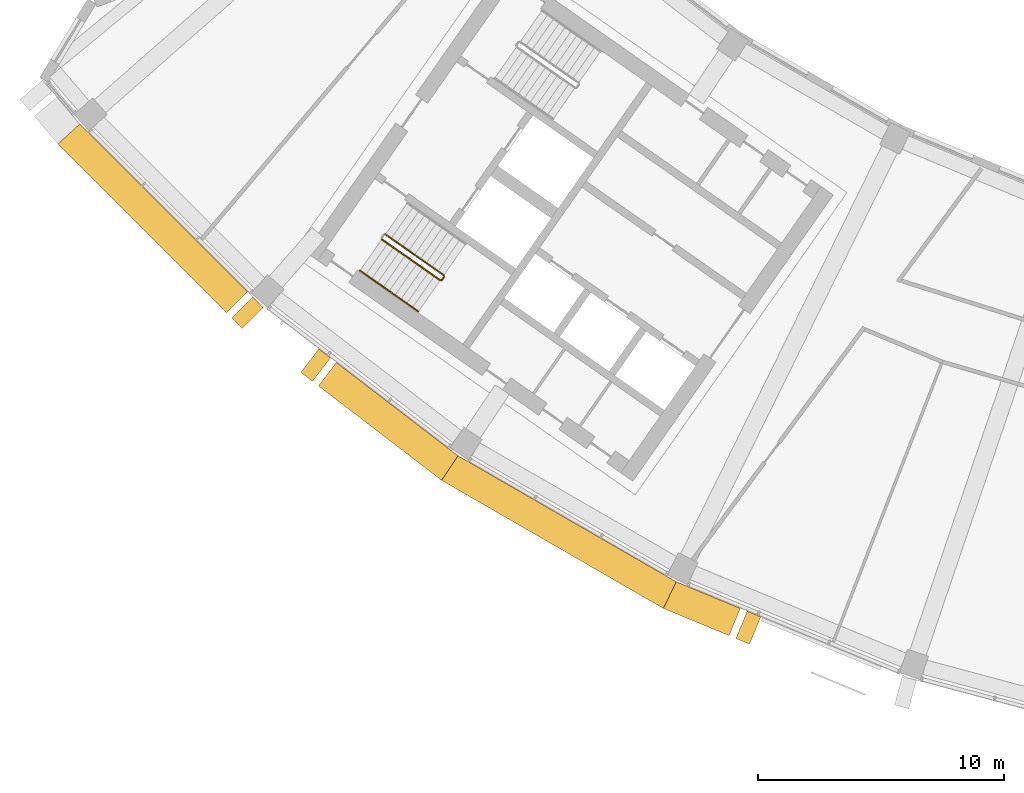
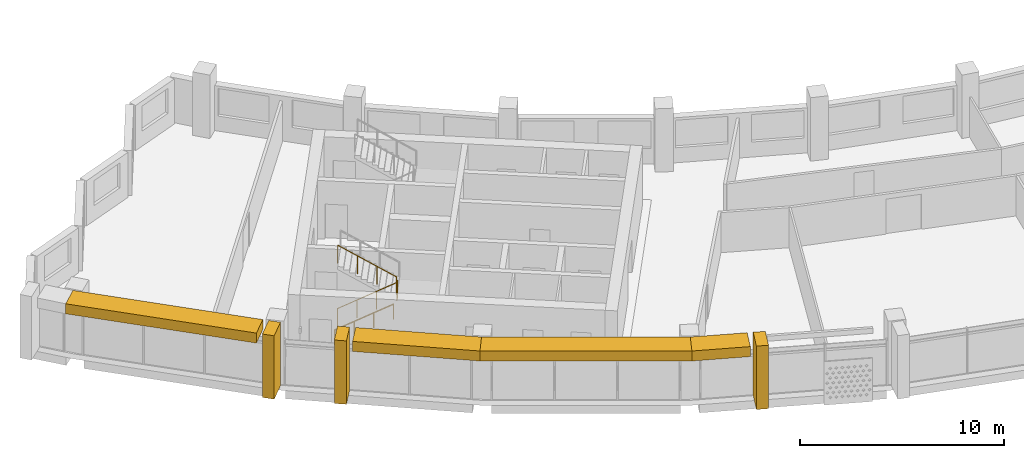
# One storey, part 23 of 28: 7 shading devices, 3 railings.
"""IFC4 building model written with IfcOpenShell, lengths in metres."""

import ifcopenshell
import ifcopenshell.guid

model = None  # the IFC model being written
_history = None  # IfcOwnerHistory: only IFC2X3 demands one
_inside = {}  # id of a spatial element -> (the spatial element, [elements in it])
_under = {}  # id of a project, library or spatial element -> (it, [spatial elements below it])
_declared = {}  # id of a project -> (the project, [libraries it declares])
_typed = {}  # id of a type object -> (the type object, [elements of that type])
_made_of = {}  # id of a material, layer set ... -> (it, [elements and type objects made of it])


def new_model(schema):
    """Start an empty IFC model of exactly this schema.

    Asked for "IFC4X3", IfcOpenShell would pick the latest addendum, in which some entities
    have other attributes; the version numbers below select the first issue.
    IFC2X3 requires an IfcOwnerHistory on every rooted entity: one is made here for all.
    """
    global model, _history
    if schema == "IFC4X3":
        model = ifcopenshell.file(schema_version=(4, 3, 0, 0))
    else:
        model = ifcopenshell.file(schema=schema)
    _inside.clear()
    _under.clear()
    _declared.clear()
    _typed.clear()
    _made_of.clear()
    _history = None
    if model.schema == "IFC2X3":
        org = make("IfcOrganization", Name="unknown")
        user = make(
            "IfcPersonAndOrganization",
            ThePerson=make("IfcPerson", FamilyName="unknown"),
            TheOrganization=org,
        )
        app = make(
            "IfcApplication",
            ApplicationDeveloper=org,
            Version="unknown",
            ApplicationFullName="unknown",
            ApplicationIdentifier="unknown",
        )
        _history = make(
            "IfcOwnerHistory",
            OwningUser=user,
            OwningApplication=app,
            ChangeAction="ADDED",
            CreationDate=0,
        )
    return model


def make(cls, **values):
    """One entity of the class cls with the attributes given. An attribute that is None is left unset."""
    return model.create_entity(
        cls, **{name: value for name, value in values.items() if value is not None}
    )


def rooted(cls, **values):
    """An entity with a GlobalId (a new one), such as an element, a storey or a relation."""
    return make(cls, GlobalId=ifcopenshell.guid.new(), OwnerHistory=_history, **values)


def si_unit(unit_type, name, prefix=None):
    """IfcSIUnit, for example si_unit("LENGTHUNIT", "METRE", prefix="MILLI")."""
    return make("IfcSIUnit", UnitType=unit_type, Prefix=prefix, Name=name)


def assignment(units):
    """IfcUnitAssignment: the units of a project."""
    return None if units is None else make("IfcUnitAssignment", Units=units)


def point(xyz):
    """IfcCartesianPoint."""
    return None if xyz is None else make("IfcCartesianPoint", Coordinates=xyz)


def direction(xyz):
    """IfcDirection."""
    return None if xyz is None else make("IfcDirection", DirectionRatios=xyz)


def frame(location, z_axis=None, x_axis=None):
    """IfcAxis2Placement3D, a coordinate frame: its origin and axes. An axis left out is left unset."""
    return make(
        "IfcAxis2Placement3D",
        Location=point(location),
        Axis=direction(z_axis),
        RefDirection=direction(x_axis),
    )


def frame_2d(location, x_axis=None):
    """IfcAxis2Placement2D, a coordinate frame in the plane: its origin and x axis."""
    return make(
        "IfcAxis2Placement2D", Location=point(location), RefDirection=direction(x_axis)
    )


def origin():
    """The frame at (0, 0, 0) with its axes left unset."""
    return frame((0.0, 0.0, 0.0))


def origin_2d():
    """The frame at (0, 0) in the plane with its x axis left unset."""
    return frame_2d((0.0, 0.0))


def place(relative_to, where):
    """IfcLocalPlacement: puts the frame where relative to a parent placement (None: the world)."""
    return make(
        "IfcLocalPlacement", PlacementRelTo=relative_to, RelativePlacement=where
    )


def context(
    kind, dimensions, precision=None, world=None, true_north=None, identifier=None
):
    """IfcGeometricRepresentationContext, for example the 3D "Model" context."""
    return make(
        "IfcGeometricRepresentationContext",
        ContextIdentifier=identifier,
        ContextType=kind,
        CoordinateSpaceDimension=dimensions,
        Precision=precision,
        WorldCoordinateSystem=world,
        TrueNorth=true_north,
    )


def subcontext(parent, identifier, kind, view, scale=None):
    """IfcGeometricRepresentationSubContext, for example "Body" below "Model"."""
    return make(
        "IfcGeometricRepresentationSubContext",
        ContextIdentifier=identifier,
        ContextType=kind,
        ParentContext=parent,
        TargetScale=scale,
        TargetView=view,
    )


def project(units=None, contexts=None):
    """IfcProject with its units and contexts."""
    return rooted(
        "IfcProject",
        Name="project",
        RepresentationContexts=contexts,
        UnitsInContext=assignment(units),
    )


def spatial(cls, under=None, at=None, **own):
    """A site, building, storey or space (cls), placed at a placement, below another one or the project."""
    s = rooted(cls, ObjectPlacement=at, **own)
    if under is not None:
        _under.setdefault(under.id(), (under, []))[1].append(s)
    return s


def polyline(points):
    """IfcPolyline through the points."""
    return make("IfcPolyline", Points=[point(p) for p in points])


def profile(cls, at=None, kind="AREA", **sizes):
    """A parametric profile (cls). Its sizes go by their IFC names, for example OverallWidth=200.0."""
    return make(cls, ProfileType=kind, Position=at, **sizes)


def circle(**sizes):
    """IfcCircleProfileDef."""
    return profile("IfcCircleProfileDef", **sizes)


def outline(outer, holes=None, kind="AREA"):
    """IfcArbitraryClosedProfileDef: a profile drawn as a closed curve; with holes, ...WithVoids."""
    if holes is None:
        return make("IfcArbitraryClosedProfileDef", ProfileType=kind, OuterCurve=outer)
    return make(
        "IfcArbitraryProfileDefWithVoids",
        ProfileType=kind,
        OuterCurve=outer,
        InnerCurves=holes,
    )


def extrude(swept, where, along, depth):
    """IfcExtrudedAreaSolid: the profile swept, set in the frame where, extruded along a direction by depth."""
    return make(
        "IfcExtrudedAreaSolid",
        SweptArea=swept,
        Position=where,
        ExtrudedDirection=direction(along),
        Depth=depth,
    )


def shape(context_of_items, identifier, shape_type, items):
    """IfcShapeRepresentation: the items that make up one representation, for example the "Body"."""
    return make(
        "IfcShapeRepresentation",
        ContextOfItems=context_of_items,
        RepresentationIdentifier=identifier,
        RepresentationType=shape_type,
        Items=items,
    )


def material(Name=None, Category=None):
    """IfcMaterial."""
    return make("IfcMaterial", Name=Name, Category=Category)


def made_of(thing, what):
    """Note that an element or type object is made of a material, layer set ...; save() writes the relation."""
    if what is not None:
        _made_of.setdefault(what.id(), (what, []))[1].append(thing)
    return thing


def type_object(cls, material=None, **own):
    """A type object (cls), such as IfcWallType, which elements share."""
    return made_of(rooted(cls, **own), material)


def element(
    cls,
    number,
    at=None,
    inside=None,
    cuts=None,
    type_object=None,
    material=None,
    context=None,
    identifier="Body",
    shape_type=None,
    held_by="IfcProductDefinitionShape",
    body=None,
    shapes=None,
    **own,
):
    """One element of the class cls, such as IfcWall. Its Tag is "e" and its number.

    at: its placement. inside: the storey or other place that contains it. cuts: it is an
    opening in that element (IfcRelVoidsElement). A single representation is given by context,
    identifier, shape_type and body (its items); several are given by shapes. held_by: the class
    of the entity that holds the representations. save() writes the other relations.
    """
    e = rooted(cls, Tag="e%d" % number, ObjectPlacement=at, **own)
    if body is not None:
        shapes = [shape(context, identifier, shape_type, body)]
    if shapes is not None:
        e.Representation = make(held_by, Representations=shapes)
    if inside is not None:
        _inside.setdefault(inside.id(), (inside, []))[1].append(e)
    if cuts is not None:
        rooted(
            "IfcRelVoidsElement", RelatingBuildingElement=cuts, RelatedOpeningElement=e
        )
    if type_object is not None:
        _typed.setdefault(type_object.id(), (type_object, []))[1].append(e)
    return made_of(e, material)


def aggregate(whole, parts):
    """IfcRelAggregates: a whole, such as a stair, and the parts it consists of."""
    return rooted("IfcRelAggregates", RelatingObject=whole, RelatedObjects=parts)


def save(model, path):
    """Write the relations noted so far, then the file.

    IfcRelAggregates (storeys below a building ...), IfcRelContainedInSpatialStructure (elements
    in a storey), IfcRelDefinesByType, IfcRelAssociatesMaterial and IfcRelDeclares: one each for
    every whole, place, type object, material and project.
    """
    for whole, parts in _under.values():
        aggregate(whole, parts)
    for where, things in _inside.values():
        rooted(
            "IfcRelContainedInSpatialStructure",
            RelatedElements=things,
            RelatingStructure=where,
        )
    for kind, things in _typed.values():
        rooted("IfcRelDefinesByType", RelatedObjects=things, RelatingType=kind)
    for what, things in _made_of.values():
        rooted("IfcRelAssociatesMaterial", RelatedObjects=things, RelatingMaterial=what)
    for by, libraries in _declared.values():
        rooted("IfcRelDeclares", RelatingContext=by, RelatedDefinitions=libraries)
    model.write(path)


model = new_model("IFC4")

# Units and contexts
model_context = context("Model", 3, precision=1e-05, world=origin(), true_north=direction((0.0, 1.0)))
body_context = subcontext(model_context, "Body", "Model", "MODEL_VIEW")
ifc_project = project(units=[si_unit("LENGTHUNIT", "METRE"), si_unit("AREAUNIT", "SQUARE_METRE"), si_unit("VOLUMEUNIT", "CUBIC_METRE"), si_unit("PLANEANGLEUNIT", "RADIAN"), si_unit("MASSUNIT", "GRAM", prefix="KILO")], contexts=[model_context])

# Site, building, storey
site_placement = place(None, origin())
site = spatial("IfcSite", under=ifc_project, at=site_placement, CompositionType="ELEMENT")
building_placement = place(site_placement, origin())
building = spatial("IfcBuilding", under=site, at=building_placement, Name="Qamariyya Broadcast Tower", CompositionType="ELEMENT")
storey_placement = place(building_placement, frame((0.0, 0.0, 277.10009765625)))
storey = spatial("IfcBuildingStorey", under=building, at=storey_placement, Name="L67", CompositionType="ELEMENT", Elevation=277.10009765625)

# Shading devices
ifc_material_1 = material(Name="Steel S355 powder coated deep red", Category="steel")
shading_device_type = type_object("IfcShadingDeviceType", Name="Deep red frame, powder coated steel box section", PredefinedType="USERDEFINED", material=ifc_material_1)
shading_device_1_placement = place(storey_placement, origin())
element("IfcShadingDevice", 1, at=shading_device_1_placement, inside=storey, type_object=shading_device_type, Name="e-frm-B5-F2-posta-L67", ObjectType="FRAME", PredefinedType="USERDEFINED", context=body_context, shape_type="SweptSolid", body=[
    extrude(outline(polyline([(-49.1875, -60.8037109375), (-49.91796875, -61.755615234375), (-49.44189453125, -62.120849609375), (-48.71142578125, -61.1689453125), (-49.1875, -60.8037109375)])), origin(), (0.0, 0.0, 1.0), 3.7998046875),
])
shading_device_2_placement = place(storey_placement, origin())
element("IfcShadingDevice", 2, at=shading_device_2_placement, inside=storey, type_object=shading_device_type, Name="e-frm-B5-F2-postb-L67", ObjectType="FRAME", PredefinedType="USERDEFINED", context=body_context, shape_type="SweptSolid", body=[
    extrude(outline(polyline([(-31.7744140625, -71.46240234375), (-32.233642578125, -72.571044921875), (-31.67919921875, -72.80078125), (-31.219970703125, -71.692138671875), (-31.7744140625, -71.46240234375)])), origin(), (0.0, 0.0, 1.0), 3.7998046875),
])
shading_device_3_placement = place(storey_placement, frame((0.0, 0.0, 3.199951171875)))
element("IfcShadingDevice", 3, at=shading_device_3_placement, inside=storey, type_object=shading_device_type, Name="e-frm-B5-F2-top0", ObjectType="FRAME", PredefinedType="USERDEFINED", context=body_context, shape_type="SweptSolid", body=[
    extrude(outline(polyline([(-48.473388671875, -61.3515625), (-49.203857421875, -62.3037109375), (-44.197021484375, -66.1455078125), (-43.52880859375, -65.145751953125), (-48.473388671875, -61.3515625)])), origin(), (0.0, 0.0, 1.0), 0.599853515625),
])
shading_device_4_placement = place(storey_placement, frame((0.0, 0.0, 3.199951171875)))
element("IfcShadingDevice", 4, at=shading_device_4_placement, inside=storey, type_object=shading_device_type, Name="e-frm-B5-F2-top1", ObjectType="FRAME", PredefinedType="USERDEFINED", context=body_context, shape_type="SweptSolid", body=[
    extrude(outline(polyline([(-43.52880859375, -65.145751953125), (-44.197021484375, -66.1455078125), (-35.185302734375, -71.3486328125), (-34.6533203125, -70.27001953125), (-43.52880859375, -65.145751953125)])), origin(), (0.0, 0.0, 1.0), 0.599853515625),
])
shading_device_5_placement = place(storey_placement, frame((0.0, 0.0, 3.199951171875)))
element("IfcShadingDevice", 5, at=shading_device_5_placement, inside=storey, type_object=shading_device_type, Name="e-frm-B5-F2-top2", ObjectType="FRAME", PredefinedType="USERDEFINED", context=body_context, shape_type="SweptSolid", body=[
    extrude(outline(polyline([(-34.6533203125, -70.27001953125), (-35.185302734375, -71.3486328125), (-32.5107421875, -72.456298828125), (-32.051513671875, -71.34765625), (-34.6533203125, -70.27001953125)])), origin(), (0.0, 0.0, 1.0), 0.599853515625),
])
shading_device_6_placement = place(storey_placement, origin())
element("IfcShadingDevice", 6, at=shading_device_6_placement, inside=storey, type_object=shading_device_type, Name="e-frm-B5-F1-postb-L67", ObjectType="FRAME", PredefinedType="USERDEFINED", context=body_context, shape_type="SweptSolid", body=[
    extrude(outline(polyline([(-51.871826171875, -58.694580078125), (-52.720458984375, -59.54296875), (-52.296142578125, -59.96728515625), (-51.447509765625, -59.118896484375), (-51.871826171875, -58.694580078125)])), origin(), (0.0, 0.0, 1.0), 3.7998046875),
])
shading_device_7_placement = place(storey_placement, frame((0.0, 0.0, 3.199951171875)))
element("IfcShadingDevice", 7, at=shading_device_7_placement, inside=storey, type_object=shading_device_type, Name="e-frm-B5-F1-top1", ObjectType="FRAME", PredefinedType="USERDEFINED", context=body_context, shape_type="SweptSolid", body=[
    extrude(outline(polyline([(-58.90673828125, -51.65966796875), (-59.789306640625, -52.47412109375), (-52.9326171875, -59.330810546875), (-52.083984375, -58.482421875), (-58.90673828125, -51.65966796875)])), origin(), (0.0, 0.0, 1.0), 0.599853515625),
])

# Railings
ifc_material_2 = material(Name="Painted steel", Category="steel")
railing_type_1 = type_object("IfcRailingType", Name="Stair guard", PredefinedType="GUARDRAIL", material=ifc_material_2)
railing_1_placement = place(storey_placement, frame((-46.624267578125, -56.34765625, 0.172607421875)))
element("IfcRailing", 8, at=railing_1_placement, inside=storey, type_object=railing_type_1, Name="L67 ST-W1 stair guard 1", PredefinedType="GUARDRAIL", context=body_context, shape_type="SweptSolid", body=[
    extrude(circle(Radius=0.02392578125, at=origin_2d()), frame((0.0, 0.0, 1.076171875), z_axis=(0.703745009021, -0.492838488332, 0.511715923826), x_axis=(0.573631830683, 0.819113253969, 0.0)), (0.0, 0.0, 1.0), 3.37548828125),
    extrude(circle(Radius=0.02392578125, at=origin_2d()), frame((2.37548828125, -1.66357421875, 2.80322265625), z_axis=(0.984363469884, 0.176149252506, 0.0), x_axis=(-0.176149252506, 0.984363469884, 0.0)), (0.0, 0.0, 1.0), 0.07080078125),
    extrude(circle(Radius=0.02392578125, at=origin_2d()), frame((2.445068359375, -1.651123046875, 2.80322265625), z_axis=(0.574444878118, 0.818543268254, 0.0), x_axis=(-0.818543268254, 0.574444878118, 0.0)), (0.0, 0.0, 1.0), 0.150146484375),
    extrude(circle(Radius=0.02099609375, at=origin_2d()), origin(), (0.0, 0.0, 1.0), 1.052001953125),
    extrude(circle(Radius=0.02099609375, at=origin_2d()), frame((0.791748046875, -0.554443359375, 0.57568359375)), (0.0, 0.0, 1.0), 1.052001953125),
    extrude(circle(Radius=0.02099609375, at=origin_2d()), frame((1.583740234375, -1.109130859375, 1.151611328125)), (0.0, 0.0, 1.0), 1.052001953125),
    extrude(circle(Radius=0.02099609375, at=origin_2d()), frame((2.37548828125, -1.66357421875, 1.727294921875)), (0.0, 0.0, 1.0), 1.052001953125),
    extrude(circle(Radius=0.02099609375, at=origin_2d()), frame((2.445068359375, -1.651123046875, 1.727294921875)), (0.0, 0.0, 1.0), 1.052001953125),
    extrude(circle(Radius=0.02099609375, at=origin_2d()), frame((2.53125, -1.5283203125, 1.727294921875)), (0.0, 0.0, 1.0), 1.052001953125),
])
railing_2_placement = place(storey_placement, frame((-44.10546875, -57.806396484375, 2.072509765625)))
element("IfcRailing", 9, at=railing_2_placement, inside=storey, type_object=railing_type_1, Name="L67 ST-W1 stair guard 2", PredefinedType="GUARDRAIL", context=body_context, shape_type="SweptSolid", body=[
    extrude(circle(Radius=0.02392578125, at=origin_2d()), frame((0.0, 0.0, 1.076171875), z_axis=(-0.703770094002, 0.492783725636, 0.511734163933), x_axis=(-0.573575343427, -0.819152809562, 0.0)), (0.0, 0.0, 1.0), 3.37548828125),
    extrude(circle(Radius=0.02099609375, at=origin_2d()), origin(), (0.0, 0.0, 1.0), 1.052001953125),
    extrude(circle(Radius=0.02099609375, at=origin_2d()), frame((-0.791748046875, 0.554443359375, 0.57568359375)), (0.0, 0.0, 1.0), 1.052001953125),
    extrude(circle(Radius=0.02099609375, at=origin_2d()), frame((-1.583740234375, 1.10888671875, 1.151611328125)), (0.0, 0.0, 1.0), 1.052001953125),
    extrude(circle(Radius=0.02099609375, at=origin_2d()), frame((-2.37548828125, 1.663330078125, 1.727294921875)), (0.0, 0.0, 1.0), 1.052001953125),
])
ifc_material_3 = material(Name="Stainless steel", Category="steel")
railing_type_2 = type_object("IfcRailingType", Name="Stair handrail", PredefinedType="HANDRAIL", material=ifc_material_3)
railing_3_placement = place(storey_placement, frame((-47.513427734375, -57.617431640625, 0.172607421875)))
element("IfcRailing", 10, at=railing_3_placement, inside=storey, type_object=railing_type_2, Name="L67 ST-W1 stair handrail 1", PredefinedType="HANDRAIL", context=body_context, shape_type="SweptSolid", body=[
    extrude(circle(Radius=0.02392578125, at=origin_2d()), frame((0.0, 0.0, 0.8759765625), z_axis=(0.703770094002, -0.492783725636, 0.511734163933), x_axis=(0.573575343427, 0.819152809562, 0.0)), (0.0, 0.0, 1.0), 3.37548828125),
    extrude(circle(Radius=0.02099609375, at=origin_2d()), origin(), (0.0, 0.0, 1.0), 0.851806640625),
    extrude(circle(Radius=0.02099609375, at=origin_2d()), frame((0.791748046875, -0.554443359375, 0.57568359375)), (0.0, 0.0, 1.0), 0.851806640625),
    extrude(circle(Radius=0.02099609375, at=origin_2d()), frame((1.583740234375, -1.10888671875, 1.151611328125)), (0.0, 0.0, 1.0), 0.851806640625),
    extrude(circle(Radius=0.02099609375, at=origin_2d()), frame((2.37548828125, -1.663330078125, 1.727294921875)), (0.0, 0.0, 1.0), 0.851806640625),
])

save(model, "model.ifc")
